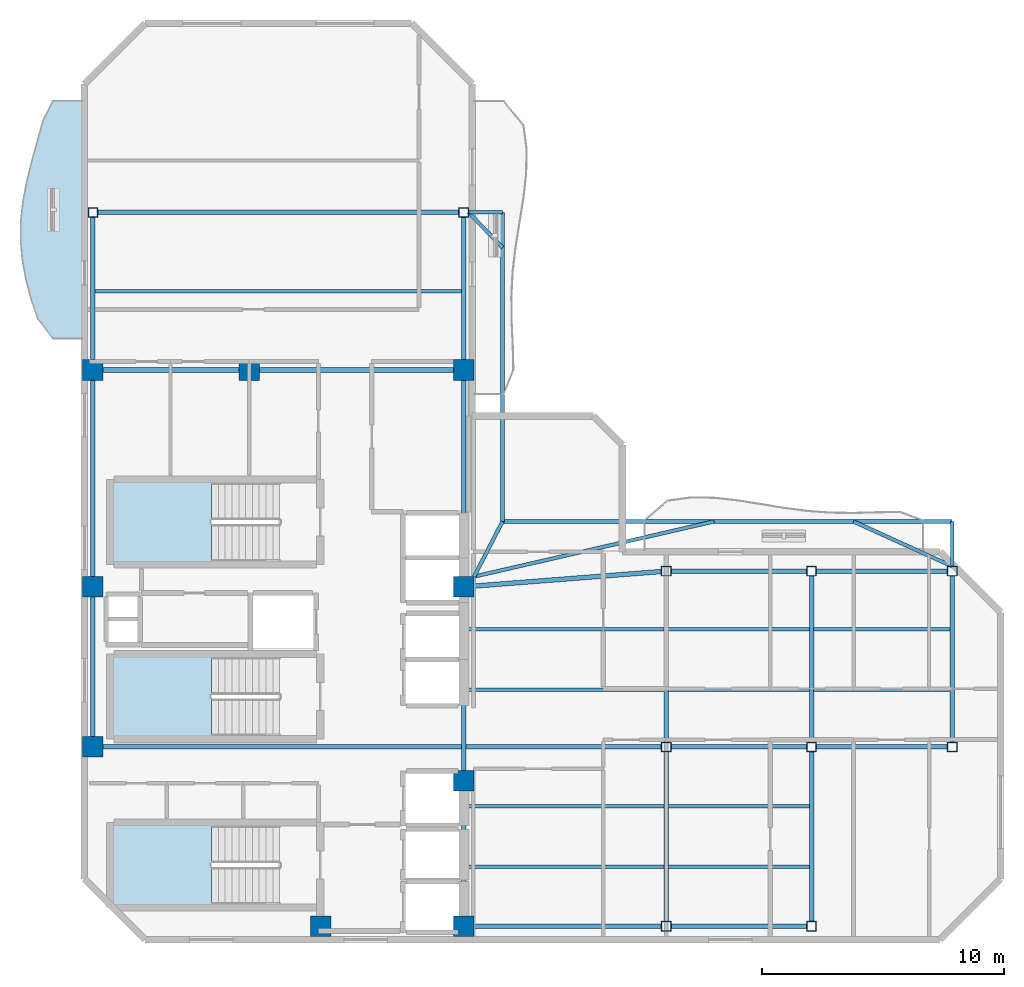
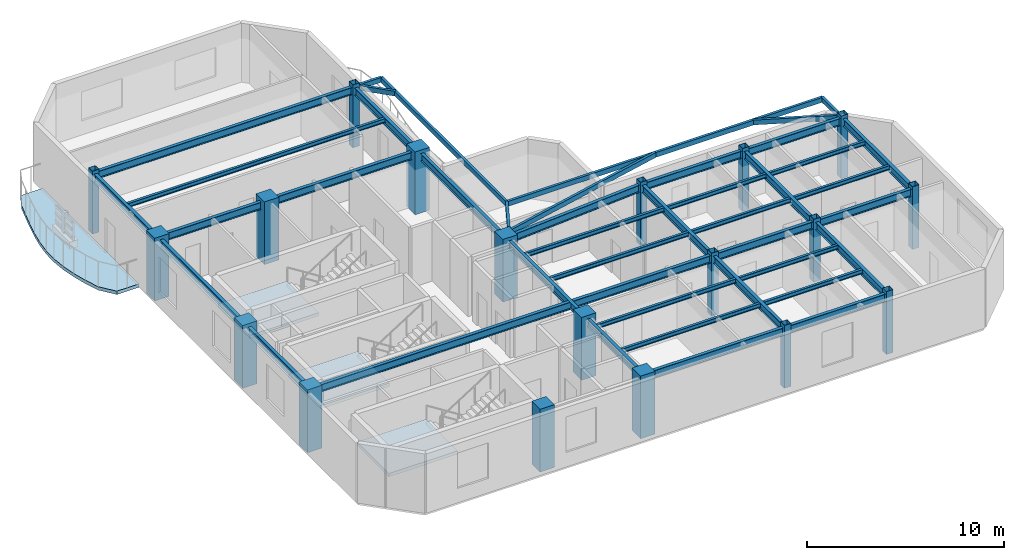
# One storey, part 1 of 7: 42 beams, 19 columns, 4 slabs, 3 elements without a shape of their own.
"""IFC4 building model written with IfcOpenShell, lengths in metres."""

from ifc_helpers import new_model, si_unit, direction, frame, origin, origin_2d, place, context, subcontext, project, spatial, polyline, rectangle, hollow_rectangle, i_section, outline, extrude, material, layer, layer_set, material_profile, profile_set, type_object, element, aggregate, save


model = new_model("IFC4")

# Units and contexts
model_context = context("Model", 3, precision=1e-05, world=origin(), true_north=direction((0.0, 1.0)))
body_context = subcontext(model_context, "Body", "Model", "MODEL_VIEW")
ifc_project = project(units=[si_unit("LENGTHUNIT", "METRE"), si_unit("AREAUNIT", "SQUARE_METRE"), si_unit("VOLUMEUNIT", "CUBIC_METRE"), si_unit("PLANEANGLEUNIT", "RADIAN"), si_unit("MASSUNIT", "GRAM", prefix="KILO")], contexts=[model_context])

# Site, building, storey
site_placement = place(None, origin())
site = spatial("IfcSite", under=ifc_project, at=site_placement, CompositionType="ELEMENT")
building_placement = place(site_placement, origin())
building = spatial("IfcBuilding", under=site, at=building_placement, Name="Mawjaban Terraces University", CompositionType="ELEMENT")
storey_placement = place(building_placement, frame((0.0, 0.0, 283.300048828125)))
storey = spatial("IfcBuildingStorey", under=building, at=storey_placement, Name="L69", CompositionType="ELEMENT", Elevation=283.300048828125)

# Columns
ifc_material_1 = material(Name="Concrete C50/60", Category="concrete")
ifc_material_profile_1 = material_profile(ifc_material_1, rectangle(XDim=0.85009765625, YDim=0.85009765625, at=origin_2d()), Name="RC850X850")
ifc_profile_set_1 = profile_set([ifc_material_profile_1], Name="Concrete C50/60")
column_type_1 = type_object("IfcColumnType", Name="Col_RC850X850", PredefinedType="COLUMN", material=ifc_profile_set_1)
for number, where, z_axis, x_axis, name in (
    (1, (31.75, 0.550048828125, 0.0), (0.0, 0.0, 1.0), (1.0, 0.0, 0.0), "L69 Column CC2"),
    (2, (37.64990234375, 0.550048828125, 0.0), (0.0, 0.0, 1.0), (1.0, 0.0, 0.0), "L69 Column CC3"),
    (3, (22.35009765625, 7.949951171875, 0.0), (0.0, 0.0, 1.0), (1.0, 0.0, 0.0), "L69 Column CC4"),
    (4, (37.64990234375, 6.550048828125, 0.0), (0.0, 0.0, 1.0), (1.0, 0.0, 0.0), "L69 Column CC5"),
    (5, (22.35009765625, 14.550048828125, 0.0), (0.0, 0.0, 1.0), (1.0, 0.0, 0.0), "L69 Column CC6"),
    (6, (37.64990234375, 14.550048828125, 0.0), (0.0, 0.0, 1.0), (1.0, 0.0, 0.0), "L69 Column CC7"),
    (7, (22.35009765625, 23.5, 0.0), (0.0, 0.0, 1.0), (1.0, 0.0, 0.0), "L69 Column CC8"),
    (8, (28.800048828125, 23.5, 0.0), (0.0, 0.0, 1.0), (1.0, 0.0, 0.0), "L69 Column CC9"),
    (9, (37.64990234375, 23.5, 0.0), (0.0, 0.0, 1.0), (1.0, 0.0, 0.0), "L69 Column CC10"),
):
    element("IfcColumn", number, at=place(storey_placement, frame(where, z_axis=z_axis, x_axis=x_axis)), inside=storey, type_object=column_type_1, Name=name, PredefinedType="COLUMN", context=body_context, shape_type="SweptSolid", body=[
        extrude(rectangle(XDim=0.85009765625, YDim=0.85009765625, at=origin_2d()), origin(), (0.0, 0.0, 1.0), 3.89990234375),
    ])
ifc_material_2 = material(Name="Steel EN 10210-1 S355J2H", Category="steel")
ifc_material_profile_2 = material_profile(ifc_material_2, hollow_rectangle(XDim=0.39990234375, YDim=0.39990234375, WallThickness=0.02001953125, at=origin_2d()), Name="SHS400X400X20")
ifc_profile_set_2 = profile_set([ifc_material_profile_2], Name="Steel EN 10210-1 S355J2H")
column_type_2 = type_object("IfcColumnType", Name="Col_SHS400X400X20", PredefinedType="COLUMN", material=ifc_profile_set_2)
for number, where, z_axis, x_axis, name in (
    (10, (46.0, 0.550048828125, 0.0), (0.0, 0.0, 1.0), (1.0, 0.0, 0.0), "L69 Column TE-460-005"),
    (11, (46.0, 7.949951171875, 0.0), (0.0, 0.0, 1.0), (1.0, 0.0, 0.0), "L69 Column TE-460-080"),
    (12, (46.0, 15.199951171875, 0.0), (0.0, 0.0, 1.0), (1.0, 0.0, 0.0), "L69 Column TE-460-152"),
    (13, (52.0, 0.550048828125, 0.0), (0.0, 0.0, 1.0), (1.0, 0.0, 0.0), "L69 Column TE-520-005"),
    (14, (52.0, 7.949951171875, 0.0), (0.0, 0.0, 1.0), (1.0, 0.0, 0.0), "L69 Column TE-520-080"),
    (15, (52.0, 15.199951171875, 0.0), (0.0, 0.0, 1.0), (1.0, 0.0, 0.0), "L69 Column TE-520-152"),
    (16, (57.800048828125, 7.949951171875, 0.0), (0.0, 0.0, 1.0), (1.0, 0.0, 0.0), "L69 Column TE-578-080"),
    (17, (57.800048828125, 15.199951171875, 0.0), (0.0, 0.0, 1.0), (1.0, 0.0, 0.0), "L69 Column TE-578-152"),
    (18, (22.35009765625, 30.0, 0.0), (0.0, 0.0, 1.0), (1.0, 0.0, 0.0), "L69 Column TN-223-300"),
    (19, (37.64990234375, 30.0, 0.0), (0.0, 0.0, 1.0), (1.0, 0.0, 0.0), "L69 Column TN-376-300"),
):
    element("IfcColumn", number, at=place(storey_placement, frame(where, z_axis=z_axis, x_axis=x_axis)), inside=storey, type_object=column_type_2, Name=name, PredefinedType="COLUMN", context=body_context, shape_type="SweptSolid", body=[
        extrude(hollow_rectangle(XDim=0.39990234375, YDim=0.39990234375, WallThickness=0.02001953125, at=origin_2d()), origin(), (0.0, 0.0, 1.0), 3.89990234375),
    ])

# Beams
ifc_material_profile_3 = material_profile(ifc_material_2, hollow_rectangle(XDim=0.14990234375, YDim=0.300048828125, WallThickness=0.012451171875, at=origin_2d()), Name="RHS300X150X12.5")
ifc_profile_set_3 = profile_set([ifc_material_profile_3], Name="Steel EN 10210-1 S355J2H")
beam_type_1 = type_object("IfcBeamType", Name="BalconyCantileverSpandrel_RHS", PredefinedType="SPANDREL", material=ifc_profile_set_3)
beam_1_placement = place(storey_placement, frame((38.074951171875, 14.97509765625, 3.5400390625), z_axis=(0.458922210771, 0.88847645127, 0.0), x_axis=(-0.88847645127, 0.458922210771, 0.0)))
element("IfcBeam", 20, at=beam_1_placement, inside=storey, type_object=beam_type_1, Name="L69 Corner Outrigger BAL-L70-N", PredefinedType="SPANDREL", context=body_context, shape_type="SweptSolid", body=[
    extrude(hollow_rectangle(XDim=0.14990234375, YDim=0.300048828125, WallThickness=0.012451171875, at=origin_2d()), origin(), (0.0, 0.0, 1.0), 2.560546875),
])
beam_2_placement = place(storey_placement, frame((57.800048828125, 15.39990234375, 3.5400390625), z_axis=(0.0, 1.0, 0.0), x_axis=(-1.0, 0.0, 0.0)))
element("IfcBeam", 21, at=beam_2_placement, inside=storey, type_object=beam_type_1, Name="L69 Exterior Outrigger BAL-L70-N.2", PredefinedType="SPANDREL", context=body_context, shape_type="SweptSolid", body=[
    extrude(hollow_rectangle(XDim=0.14990234375, YDim=0.300048828125, WallThickness=0.012451171875, at=origin_2d()), origin(), (0.0, 0.0, 1.0), 1.85009765625),
])
beam_3_placement = place(storey_placement, frame((39.25, 17.25, 3.5400390625), z_axis=(1.0, 0.0, 0.0), x_axis=(0.0, 1.0, 0.0)))
element("IfcBeam", 22, at=beam_3_placement, inside=storey, type_object=beam_type_1, Name="L69 Exterior Edge Spandrel BAL-L70-N", PredefinedType="SPANDREL", context=body_context, shape_type="SweptSolid", body=[
    extrude(hollow_rectangle(XDim=0.14990234375, YDim=0.300048828125, WallThickness=0.012451171875, at=origin_2d()), origin(), (0.0, 0.0, 1.0), 18.550048828125),
])
beam_4_placement = place(storey_placement, frame((38.074951171875, 14.97509765625, 3.5400390625), z_axis=(0.974600999447, 0.223948413426, 0.0), x_axis=(-0.223948413426, 0.974600999447, 0.0)))
element("IfcBeam", 23, at=beam_4_placement, inside=storey, type_object=beam_type_1, Name="L69 Exterior Diagonal Strut BAL-L70-N.1", PredefinedType="SPANDREL", context=body_context, shape_type="SweptSolid", body=[
    extrude(hollow_rectangle(XDim=0.14990234375, YDim=0.300048828125, WallThickness=0.012451171875, at=origin_2d()), origin(), (0.0, 0.0, 1.0), 10.158203125),
])
beam_5_placement = place(storey_placement, frame((57.800048828125, 15.39990234375, 3.5400390625), z_axis=(-0.910547611438, 0.413404217811, 0.0), x_axis=(-0.413404217811, -0.910547611438, 0.0)))
element("IfcBeam", 24, at=beam_5_placement, inside=storey, type_object=beam_type_1, Name="L69 Exterior Diagonal Strut BAL-L70-N.2", PredefinedType="SPANDREL", context=body_context, shape_type="SweptSolid", body=[
    extrude(hollow_rectangle(XDim=0.14990234375, YDim=0.300048828125, WallThickness=0.012451171875, at=origin_2d()), origin(), (0.0, 0.0, 1.0), 4.475341796875),
])
beam_6_placement = place(storey_placement, frame((37.85009765625, 30.0, 3.5400390625), z_axis=(1.0, 0.0, 0.0), x_axis=(0.0, 1.0, 0.0)))
element("IfcBeam", 25, at=beam_6_placement, inside=storey, type_object=beam_type_1, Name="L69 Exterior Outrigger BAL-L70-E.2", PredefinedType="SPANDREL", context=body_context, shape_type="SweptSolid", body=[
    extrude(hollow_rectangle(XDim=0.14990234375, YDim=0.300048828125, WallThickness=0.012451171875, at=origin_2d()), origin(), (0.0, 0.0, 1.0), 1.39990234375),
])
beam_7_placement = place(storey_placement, frame((39.25, 17.25, 3.5400390625), z_axis=(0.0, 1.0, 0.0), x_axis=(-1.0, 0.0, 0.0)))
element("IfcBeam", 26, at=beam_7_placement, inside=storey, type_object=beam_type_1, Name="L69 Exterior Edge Spandrel BAL-L70-E", PredefinedType="SPANDREL", context=body_context, shape_type="SweptSolid", body=[
    extrude(hollow_rectangle(XDim=0.14990234375, YDim=0.300048828125, WallThickness=0.012451171875, at=origin_2d()), origin(), (0.0, 0.0, 1.0), 12.75),
])
beam_8_placement = place(storey_placement, frame((37.85009765625, 30.0, 3.5400390625), z_axis=(0.694581542946, -0.719413983878, 0.0), x_axis=(0.719413983878, 0.694581542946, 0.0)))
element("IfcBeam", 27, at=beam_8_placement, inside=storey, type_object=beam_type_1, Name="L69 Exterior Diagonal Strut BAL-L70-E.1", PredefinedType="SPANDREL", context=body_context, shape_type="SweptSolid", body=[
    extrude(hollow_rectangle(XDim=0.14990234375, YDim=0.300048828125, WallThickness=0.012451171875, at=origin_2d()), origin(), (0.0, 0.0, 1.0), 2.015380859375),
])
ifc_material_3 = material(Name="Steel ASTM A572 Grade 50", Category="steel")
ifc_material_profile_4 = material_profile(ifc_material_3, i_section(OverallWidth=0.19189453125, OverallDepth=0.462890625, WebThickness=0.010498046875, FlangeThickness=0.017578125, at=origin_2d()), Name="W460X89")
ifc_profile_set_4 = profile_set([ifc_material_profile_4], Name="Steel ASTM A572 Grade 50")
beam_type_2 = type_object("IfcBeamType", Name="Beam_B_W460X89", PredefinedType="BEAM", material=ifc_profile_set_4)
beam_9_placement = place(storey_placement, frame((38.074951171875, 0.550048828125, 3.458984375), z_axis=(1.0, 0.0, 0.0), x_axis=(0.0, 1.0, 0.0)))
element("IfcBeam", 28, at=beam_9_placement, inside=storey, type_object=beam_type_2, Name="L69 Beam BM-L69-EW-01", PredefinedType="BEAM", context=body_context, shape_type="SweptSolid", body=[
    extrude(i_section(OverallWidth=0.19189453125, OverallDepth=0.462890625, WebThickness=0.010498046875, FlangeThickness=0.017578125, at=origin_2d()), origin(), (0.0, 0.0, 1.0), 7.72509765625),
])
beam_10_placement = place(storey_placement, frame((46.199951171875, 0.550048828125, 3.458984375), z_axis=(1.0, 0.0, 0.0), x_axis=(0.0, 1.0, 0.0)))
element("IfcBeam", 29, at=beam_10_placement, inside=storey, type_object=beam_type_2, Name="L69 Beam BM-L69-EW-02", PredefinedType="BEAM", context=body_context, shape_type="SweptSolid", body=[
    extrude(i_section(OverallWidth=0.19189453125, OverallDepth=0.462890625, WebThickness=0.010498046875, FlangeThickness=0.017578125, at=origin_2d()), origin(), (0.0, 0.0, 1.0), 5.60009765625),
])
beam_11_placement = place(storey_placement, frame((22.77490234375, 7.949951171875, 3.458984375), z_axis=(1.0, 0.0, 0.0), x_axis=(0.0, 1.0, 0.0)))
element("IfcBeam", 30, at=beam_11_placement, inside=storey, type_object=beam_type_2, Name="L69 Beam BM-L69-EW-03", PredefinedType="BEAM", context=body_context, shape_type="SweptSolid", body=[
    extrude(i_section(OverallWidth=0.19189453125, OverallDepth=0.462890625, WebThickness=0.010498046875, FlangeThickness=0.017578125, at=origin_2d()), origin(), (0.0, 0.0, 1.0), 23.025146484375),
])
beam_12_placement = place(storey_placement, frame((46.199951171875, 7.949951171875, 3.458984375), z_axis=(1.0, 0.0, 0.0), x_axis=(0.0, 1.0, 0.0)))
element("IfcBeam", 31, at=beam_12_placement, inside=storey, type_object=beam_type_2, Name="L69 Beam BM-L69-EW-04", PredefinedType="BEAM", context=body_context, shape_type="SweptSolid", body=[
    extrude(i_section(OverallWidth=0.19189453125, OverallDepth=0.462890625, WebThickness=0.010498046875, FlangeThickness=0.017578125, at=origin_2d()), origin(), (0.0, 0.0, 1.0), 5.60009765625),
])
beam_13_placement = place(storey_placement, frame((52.199951171875, 7.949951171875, 3.458984375), z_axis=(1.0, 0.0, 0.0), x_axis=(0.0, 1.0, 0.0)))
element("IfcBeam", 32, at=beam_13_placement, inside=storey, type_object=beam_type_2, Name="L69 Beam BM-L69-EW-05", PredefinedType="BEAM", context=body_context, shape_type="SweptSolid", body=[
    extrude(i_section(OverallWidth=0.19189453125, OverallDepth=0.462890625, WebThickness=0.010498046875, FlangeThickness=0.017578125, at=origin_2d()), origin(), (0.0, 0.0, 1.0), 5.400146484375),
])
beam_14_placement = place(storey_placement, frame((46.199951171875, 15.199951171875, 3.458984375), z_axis=(1.0, 0.0, 0.0), x_axis=(0.0, 1.0, 0.0)))
element("IfcBeam", 33, at=beam_14_placement, inside=storey, type_object=beam_type_2, Name="L69 Beam BM-L69-EW-06", PredefinedType="BEAM", context=body_context, shape_type="SweptSolid", body=[
    extrude(i_section(OverallWidth=0.19189453125, OverallDepth=0.462890625, WebThickness=0.010498046875, FlangeThickness=0.017578125, at=origin_2d()), origin(), (0.0, 0.0, 1.0), 5.60009765625),
])
beam_15_placement = place(storey_placement, frame((52.199951171875, 15.199951171875, 3.458984375), z_axis=(1.0, 0.0, 0.0), x_axis=(0.0, 1.0, 0.0)))
element("IfcBeam", 34, at=beam_15_placement, inside=storey, type_object=beam_type_2, Name="L69 Beam BM-L69-EW-07", PredefinedType="BEAM", context=body_context, shape_type="SweptSolid", body=[
    extrude(i_section(OverallWidth=0.19189453125, OverallDepth=0.462890625, WebThickness=0.010498046875, FlangeThickness=0.017578125, at=origin_2d()), origin(), (0.0, 0.0, 1.0), 5.400146484375),
])
beam_16_placement = place(storey_placement, frame((22.77490234375, 23.5, 3.458984375), z_axis=(1.0, 0.0, 0.0), x_axis=(0.0, 1.0, 0.0)))
element("IfcBeam", 35, at=beam_16_placement, inside=storey, type_object=beam_type_2, Name="L69 Beam BM-L69-EW-08", PredefinedType="BEAM", context=body_context, shape_type="SweptSolid", body=[
    extrude(i_section(OverallWidth=0.19189453125, OverallDepth=0.462890625, WebThickness=0.010498046875, FlangeThickness=0.017578125, at=origin_2d()), origin(), (0.0, 0.0, 1.0), 5.60009765625),
])
beam_17_placement = place(storey_placement, frame((29.22509765625, 23.5, 3.458984375), z_axis=(1.0, 0.0, 0.0), x_axis=(0.0, 1.0, 0.0)))
element("IfcBeam", 36, at=beam_17_placement, inside=storey, type_object=beam_type_2, Name="L69 Beam BM-L69-EW-09", PredefinedType="BEAM", context=body_context, shape_type="SweptSolid", body=[
    extrude(i_section(OverallWidth=0.19189453125, OverallDepth=0.462890625, WebThickness=0.010498046875, FlangeThickness=0.017578125, at=origin_2d()), origin(), (0.0, 0.0, 1.0), 8.0),
])
beam_18_placement = place(storey_placement, frame((22.550048828125, 30.0, 3.458984375), z_axis=(1.0, 0.0, 0.0), x_axis=(0.0, 1.0, 0.0)))
element("IfcBeam", 37, at=beam_18_placement, inside=storey, type_object=beam_type_2, Name="L69 Beam BM-L69-EW-10", PredefinedType="BEAM", context=body_context, shape_type="SweptSolid", body=[
    extrude(i_section(OverallWidth=0.19189453125, OverallDepth=0.462890625, WebThickness=0.010498046875, FlangeThickness=0.017578125, at=origin_2d()), origin(), (0.0, 0.0, 1.0), 14.89990234375),
])
beam_19_placement = place(storey_placement, frame((22.35009765625, 8.375, 3.458984375), z_axis=(0.0, 1.0, 0.0), x_axis=(-1.0, 0.0, 0.0)))
element("IfcBeam", 38, at=beam_19_placement, inside=storey, type_object=beam_type_2, Name="L69 Beam BM-L69-NS-01", PredefinedType="BEAM", context=body_context, shape_type="SweptSolid", body=[
    extrude(i_section(OverallWidth=0.19189453125, OverallDepth=0.462890625, WebThickness=0.010498046875, FlangeThickness=0.017578125, at=origin_2d()), origin(), (0.0, 0.0, 1.0), 5.75),
])
beam_20_placement = place(storey_placement, frame((22.35009765625, 14.97509765625, 3.458984375), z_axis=(0.0, 1.0, 0.0), x_axis=(-1.0, 0.0, 0.0)))
element("IfcBeam", 39, at=beam_20_placement, inside=storey, type_object=beam_type_2, Name="L69 Beam BM-L69-NS-02", PredefinedType="BEAM", context=body_context, shape_type="SweptSolid", body=[
    extrude(i_section(OverallWidth=0.19189453125, OverallDepth=0.462890625, WebThickness=0.010498046875, FlangeThickness=0.017578125, at=origin_2d()), origin(), (0.0, 0.0, 1.0), 8.099853515625),
])
beam_21_placement = place(storey_placement, frame((22.35009765625, 23.925048828125, 3.458984375), z_axis=(0.0, 1.0, 0.0), x_axis=(-1.0, 0.0, 0.0)))
element("IfcBeam", 40, at=beam_21_placement, inside=storey, type_object=beam_type_2, Name="L69 Beam BM-L69-NS-03", PredefinedType="BEAM", context=body_context, shape_type="SweptSolid", body=[
    extrude(i_section(OverallWidth=0.19189453125, OverallDepth=0.462890625, WebThickness=0.010498046875, FlangeThickness=0.017578125, at=origin_2d()), origin(), (0.0, 0.0, 1.0), 5.875),
])
beam_22_placement = place(storey_placement, frame((37.64990234375, 0.97509765625, 3.458984375), z_axis=(0.0, 1.0, 0.0), x_axis=(-1.0, 0.0, 0.0)))
element("IfcBeam", 41, at=beam_22_placement, inside=storey, type_object=beam_type_2, Name="L69 Beam BM-L69-NS-04", PredefinedType="BEAM", context=body_context, shape_type="SweptSolid", body=[
    extrude(i_section(OverallWidth=0.19189453125, OverallDepth=0.462890625, WebThickness=0.010498046875, FlangeThickness=0.017578125, at=origin_2d()), origin(), (0.0, 0.0, 1.0), 5.14990234375),
])
beam_23_placement = place(storey_placement, frame((37.64990234375, 6.97509765625, 3.458984375), z_axis=(0.0, 1.0, 0.0), x_axis=(-1.0, 0.0, 0.0)))
element("IfcBeam", 42, at=beam_23_placement, inside=storey, type_object=beam_type_2, Name="L69 Beam BM-L69-NS-05", PredefinedType="BEAM", context=body_context, shape_type="SweptSolid", body=[
    extrude(i_section(OverallWidth=0.19189453125, OverallDepth=0.462890625, WebThickness=0.010498046875, FlangeThickness=0.017578125, at=origin_2d()), origin(), (0.0, 0.0, 1.0), 7.14990234375),
])
beam_24_placement = place(storey_placement, frame((37.64990234375, 14.97509765625, 3.458984375), z_axis=(0.0, 1.0, 0.0), x_axis=(-1.0, 0.0, 0.0)))
element("IfcBeam", 43, at=beam_24_placement, inside=storey, type_object=beam_type_2, Name="L69 Beam BM-L69-NS-06", PredefinedType="BEAM", context=body_context, shape_type="SweptSolid", body=[
    extrude(i_section(OverallWidth=0.19189453125, OverallDepth=0.462890625, WebThickness=0.010498046875, FlangeThickness=0.017578125, at=origin_2d()), origin(), (0.0, 0.0, 1.0), 8.099853515625),
])
beam_25_placement = place(storey_placement, frame((37.64990234375, 23.925048828125, 3.458984375), z_axis=(0.0, 1.0, 0.0), x_axis=(-1.0, 0.0, 0.0)))
element("IfcBeam", 44, at=beam_25_placement, inside=storey, type_object=beam_type_2, Name="L69 Beam BM-L69-NS-07", PredefinedType="BEAM", context=body_context, shape_type="SweptSolid", body=[
    extrude(i_section(OverallWidth=0.19189453125, OverallDepth=0.462890625, WebThickness=0.010498046875, FlangeThickness=0.017578125, at=origin_2d()), origin(), (0.0, 0.0, 1.0), 5.875),
])
beam_26_placement = place(storey_placement, frame((46.0, 0.75, 3.458984375), z_axis=(0.0, 1.0, 0.0), x_axis=(-1.0, 0.0, 0.0)))
element("IfcBeam", 45, at=beam_26_placement, inside=storey, type_object=beam_type_2, Name="L69 Beam BM-L69-NS-08", PredefinedType="BEAM", context=body_context, shape_type="SweptSolid", body=[
    extrude(i_section(OverallWidth=0.19189453125, OverallDepth=0.462890625, WebThickness=0.010498046875, FlangeThickness=0.017578125, at=origin_2d()), origin(), (0.0, 0.0, 1.0), 7.0),
])
beam_27_placement = place(storey_placement, frame((46.0, 8.14990234375, 3.458984375), z_axis=(0.0, 1.0, 0.0), x_axis=(-1.0, 0.0, 0.0)))
element("IfcBeam", 46, at=beam_27_placement, inside=storey, type_object=beam_type_2, Name="L69 Beam BM-L69-NS-09", PredefinedType="BEAM", context=body_context, shape_type="SweptSolid", body=[
    extrude(i_section(OverallWidth=0.19189453125, OverallDepth=0.462890625, WebThickness=0.010498046875, FlangeThickness=0.017578125, at=origin_2d()), origin(), (0.0, 0.0, 1.0), 6.85009765625),
])
beam_28_placement = place(storey_placement, frame((52.0, 0.75, 3.458984375), z_axis=(0.0, 1.0, 0.0), x_axis=(-1.0, 0.0, 0.0)))
element("IfcBeam", 47, at=beam_28_placement, inside=storey, type_object=beam_type_2, Name="L69 Beam BM-L69-NS-10", PredefinedType="BEAM", context=body_context, shape_type="SweptSolid", body=[
    extrude(i_section(OverallWidth=0.19189453125, OverallDepth=0.462890625, WebThickness=0.010498046875, FlangeThickness=0.017578125, at=origin_2d()), origin(), (0.0, 0.0, 1.0), 7.0),
])
for number, where, z_axis, x_axis, name in (
    (48, (52.0, 8.14990234375, 3.458984375), (0.0, 1.0, 0.0), (-1.0, 0.0, 0.0), "L69 Beam BM-L69-NS-11"),
    (49, (57.800048828125, 8.14990234375, 3.458984375), (0.0, 1.0, 0.0), (-1.0, 0.0, 0.0), "L69 Beam BM-L69-NS-12"),
):
    element("IfcBeam", number, at=place(storey_placement, frame(where, z_axis=z_axis, x_axis=x_axis)), inside=storey, type_object=beam_type_2, Name=name, PredefinedType="BEAM", context=body_context, shape_type="SweptSolid", body=[
        extrude(i_section(OverallWidth=0.19189453125, OverallDepth=0.462890625, WebThickness=0.010498046875, FlangeThickness=0.017578125, at=origin_2d()), origin(), (0.0, 0.0, 1.0), 6.85009765625),
    ])
beam_29_placement = place(storey_placement, frame((38.073974609375, 14.5830078125, 3.458984375), z_axis=(0.996988151141, 0.077554023005, 0.0), x_axis=(-0.077554023005, 0.996988151141, 0.0)))
element("IfcBeam", 50, at=beam_29_placement, inside=storey, type_object=beam_type_2, Name="L69 Beam BM-L69-CTIE", PredefinedType="BEAM", context=body_context, shape_type="SweptSolid", body=[
    extrude(i_section(OverallWidth=0.19189453125, OverallDepth=0.462890625, WebThickness=0.010498046875, FlangeThickness=0.017578125, at=origin_2d()), origin(), (0.0, 0.0, 1.0), 7.75048828125),
])
ifc_material_profile_5 = material_profile(ifc_material_3, i_section(OverallWidth=0.14794921875, OverallDepth=0.26611328125, WebThickness=0.007568359375, FlangeThickness=0.012939453125, at=origin_2d()), Name="W250X45")
ifc_profile_set_5 = profile_set([ifc_material_profile_5], Name="Steel ASTM A572 Grade 50")
beam_type_3 = type_object("IfcBeamType", Name="Beam_J_W250X45", PredefinedType="JOIST", material=ifc_profile_set_5)
beam_30_placement = place(storey_placement, frame((37.72998046875, 3.0, 3.556884765625), z_axis=(1.0, 0.0, 0.0), x_axis=(0.0, 1.0, 0.0)))
element("IfcBeam", 51, at=beam_30_placement, inside=storey, type_object=beam_type_3, Name="L69 Composite Joist JST-L69-01", PredefinedType="JOIST", context=body_context, shape_type="SweptSolid", body=[
    extrude(i_section(OverallWidth=0.14794921875, OverallDepth=0.26611328125, WebThickness=0.007568359375, FlangeThickness=0.012939453125, at=origin_2d()), origin(), (0.0, 0.0, 1.0), 8.18994140625),
])
beam_31_placement = place(storey_placement, frame((46.080078125, 3.0, 3.556884765625), z_axis=(1.0, 0.0, 0.0), x_axis=(0.0, 1.0, 0.0)))
element("IfcBeam", 52, at=beam_31_placement, inside=storey, type_object=beam_type_3, Name="L69 Composite Joist JST-L69-02", PredefinedType="JOIST", context=body_context, shape_type="SweptSolid", body=[
    extrude(i_section(OverallWidth=0.14794921875, OverallDepth=0.26611328125, WebThickness=0.007568359375, FlangeThickness=0.012939453125, at=origin_2d()), origin(), (0.0, 0.0, 1.0), 5.83984375),
])
beam_32_placement = place(storey_placement, frame((37.72998046875, 5.5, 3.556884765625), z_axis=(1.0, 0.0, 0.0), x_axis=(0.0, 1.0, 0.0)))
element("IfcBeam", 53, at=beam_32_placement, inside=storey, type_object=beam_type_3, Name="L69 Composite Joist JST-L69-03", PredefinedType="JOIST", context=body_context, shape_type="SweptSolid", body=[
    extrude(i_section(OverallWidth=0.14794921875, OverallDepth=0.26611328125, WebThickness=0.007568359375, FlangeThickness=0.012939453125, at=origin_2d()), origin(), (0.0, 0.0, 1.0), 8.18994140625),
])
beam_33_placement = place(storey_placement, frame((46.080078125, 5.5, 3.556884765625), z_axis=(1.0, 0.0, 0.0), x_axis=(0.0, 1.0, 0.0)))
element("IfcBeam", 54, at=beam_33_placement, inside=storey, type_object=beam_type_3, Name="L69 Composite Joist JST-L69-04", PredefinedType="JOIST", context=body_context, shape_type="SweptSolid", body=[
    extrude(i_section(OverallWidth=0.14794921875, OverallDepth=0.26611328125, WebThickness=0.007568359375, FlangeThickness=0.012939453125, at=origin_2d()), origin(), (0.0, 0.0, 1.0), 5.83984375),
])
beam_34_placement = place(storey_placement, frame((37.72998046875, 10.300048828125, 3.556884765625), z_axis=(1.0, 0.0, 0.0), x_axis=(0.0, 1.0, 0.0)))
element("IfcBeam", 55, at=beam_34_placement, inside=storey, type_object=beam_type_3, Name="L69 Composite Joist JST-L69-05", PredefinedType="JOIST", context=body_context, shape_type="SweptSolid", body=[
    extrude(i_section(OverallWidth=0.14794921875, OverallDepth=0.26611328125, WebThickness=0.007568359375, FlangeThickness=0.012939453125, at=origin_2d()), origin(), (0.0, 0.0, 1.0), 8.18994140625),
])
beam_35_placement = place(storey_placement, frame((46.080078125, 10.300048828125, 3.556884765625), z_axis=(1.0, 0.0, 0.0), x_axis=(0.0, 1.0, 0.0)))
element("IfcBeam", 56, at=beam_35_placement, inside=storey, type_object=beam_type_3, Name="L69 Composite Joist JST-L69-06", PredefinedType="JOIST", context=body_context, shape_type="SweptSolid", body=[
    extrude(i_section(OverallWidth=0.14794921875, OverallDepth=0.26611328125, WebThickness=0.007568359375, FlangeThickness=0.012939453125, at=origin_2d()), origin(), (0.0, 0.0, 1.0), 5.83984375),
])
beam_36_placement = place(storey_placement, frame((52.080078125, 10.300048828125, 3.556884765625), z_axis=(1.0, 0.0, 0.0), x_axis=(0.0, 1.0, 0.0)))
element("IfcBeam", 57, at=beam_36_placement, inside=storey, type_object=beam_type_3, Name="L69 Composite Joist JST-L69-07", PredefinedType="JOIST", context=body_context, shape_type="SweptSolid", body=[
    extrude(i_section(OverallWidth=0.14794921875, OverallDepth=0.26611328125, WebThickness=0.007568359375, FlangeThickness=0.012939453125, at=origin_2d()), origin(), (0.0, 0.0, 1.0), 5.639892578125),
])
beam_37_placement = place(storey_placement, frame((37.72998046875, 12.800048828125, 3.556884765625), z_axis=(1.0, 0.0, 0.0), x_axis=(0.0, 1.0, 0.0)))
element("IfcBeam", 58, at=beam_37_placement, inside=storey, type_object=beam_type_3, Name="L69 Composite Joist JST-L69-08", PredefinedType="JOIST", context=body_context, shape_type="SweptSolid", body=[
    extrude(i_section(OverallWidth=0.14794921875, OverallDepth=0.26611328125, WebThickness=0.007568359375, FlangeThickness=0.012939453125, at=origin_2d()), origin(), (0.0, 0.0, 1.0), 8.18994140625),
])
beam_38_placement = place(storey_placement, frame((46.080078125, 12.800048828125, 3.556884765625), z_axis=(1.0, 0.0, 0.0), x_axis=(0.0, 1.0, 0.0)))
element("IfcBeam", 59, at=beam_38_placement, inside=storey, type_object=beam_type_3, Name="L69 Composite Joist JST-L69-09", PredefinedType="JOIST", context=body_context, shape_type="SweptSolid", body=[
    extrude(i_section(OverallWidth=0.14794921875, OverallDepth=0.26611328125, WebThickness=0.007568359375, FlangeThickness=0.012939453125, at=origin_2d()), origin(), (0.0, 0.0, 1.0), 5.83984375),
])
beam_39_placement = place(storey_placement, frame((52.080078125, 12.800048828125, 3.556884765625), z_axis=(1.0, 0.0, 0.0), x_axis=(0.0, 1.0, 0.0)))
element("IfcBeam", 60, at=beam_39_placement, inside=storey, type_object=beam_type_3, Name="L69 Composite Joist JST-L69-10", PredefinedType="JOIST", context=body_context, shape_type="SweptSolid", body=[
    extrude(i_section(OverallWidth=0.14794921875, OverallDepth=0.26611328125, WebThickness=0.007568359375, FlangeThickness=0.012939453125, at=origin_2d()), origin(), (0.0, 0.0, 1.0), 5.639892578125),
])
beam_40_placement = place(storey_placement, frame((22.429931640625, 26.75, 3.556884765625), z_axis=(1.0, 0.0, 0.0), x_axis=(0.0, 1.0, 0.0)))
element("IfcBeam", 61, at=beam_40_placement, inside=storey, type_object=beam_type_3, Name="L69 Composite Joist JST-L69-11", PredefinedType="JOIST", context=body_context, shape_type="SweptSolid", body=[
    extrude(i_section(OverallWidth=0.14794921875, OverallDepth=0.26611328125, WebThickness=0.007568359375, FlangeThickness=0.012939453125, at=origin_2d()), origin(), (0.0, 0.0, 1.0), 15.14013671875),
])

# Slab
ifc_material_4 = material(Name="Concrete C40/50", Category="concrete")
ifc_layer_1 = layer(ifc_material_4, 0.2099609375)
ifc_layer_set_1 = layer_set([ifc_layer_1], Name="Concrete C40/50")
slab_type_1 = type_object("IfcSlabType", Name="BalconySlab_210_Ext", PredefinedType="FLOOR", material=ifc_layer_set_1)
slab_1_placement = place(storey_placement, frame((0.0, 0.0, -0.2099609375)))
element("IfcSlab", 62, at=slab_1_placement, inside=storey, type_object=slab_type_1, Name="L69 Planted Balcony Slab west", PredefinedType="FLOOR", context=body_context, shape_type="SweptSolid", body=[
    extrude(outline(polyline([(22.010009765625, 24.800048828125), (22.010009765625, 34.60009765625), (20.699951171875, 34.60009765625), (20.29296875, 33.782958984375), (20.06396484375, 32.967041015625), (19.839111328125, 32.14990234375), (19.635009765625, 31.3330078125), (19.47607421875, 30.51708984375), (19.381103515625, 29.699951171875), (19.366943359375, 28.883056640625), (19.43603515625, 28.06689453125), (19.5849609375, 27.25), (19.800048828125, 26.43310546875), (20.074951171875, 25.616943359375), (20.699951171875, 24.800048828125), (22.010009765625, 24.800048828125)])), origin(), (0.0, 0.0, 1.0), 0.2099609375),
])

# Stair, slab
stair_type = type_object("IfcStairType", Name="Stair_Core1550_H39", PredefinedType="HALF_TURN_STAIR", material=ifc_material_4)
stair_1_placement = place(storey_placement, origin())
stair_1 = element("IfcStair", 63, at=stair_1_placement, inside=storey, type_object=stair_type, Name="L69 Core Exit Stair 1", PredefinedType="HALF_TURN_STAIR")
ifc_layer_2 = layer(ifc_material_4, 0.199951171875)
ifc_layer_set_2 = layer_set([ifc_layer_2], Name="Concrete C40/50")
slab_type_2 = type_object("IfcSlabType", Name="StairLandingSlab_200", PredefinedType="LANDING", material=ifc_layer_set_2)
slab_2_placement = place(storey_placement, frame((0.0, 0.0, 1.75)))
slab_2 = element("IfcSlab", 64, at=slab_2_placement, type_object=slab_type_2, Name="ST-1 landing 1", PredefinedType="LANDING", context=body_context, shape_type="SweptSolid", body=[
    extrude(outline(polyline([(27.25, 4.699951171875), (23.199951171875, 4.699951171875), (23.199951171875, 1.449951171875), (27.25, 1.449951171875), (27.25, 4.699951171875)])), origin(), (0.0, 0.0, 1.0), 0.199951171875),
])
aggregate(stair_1, [slab_2])

stair_2_placement = place(storey_placement, origin())
stair_2 = element("IfcStair", 65, at=stair_2_placement, inside=storey, type_object=stair_type, Name="L69 Core Exit Stair 2", PredefinedType="HALF_TURN_STAIR")
slab_3_placement = place(storey_placement, frame((0.0, 0.0, 1.75)))
slab_3 = element("IfcSlab", 66, at=slab_3_placement, type_object=slab_type_2, Name="ST-2 landing 1", PredefinedType="LANDING", context=body_context, shape_type="SweptSolid", body=[
    extrude(outline(polyline([(27.25, 18.85009765625), (23.199951171875, 18.85009765625), (23.199951171875, 15.60009765625), (27.25, 15.60009765625), (27.25, 18.85009765625)])), origin(), (0.0, 0.0, 1.0), 0.199951171875),
])
aggregate(stair_2, [slab_3])

stair_3_placement = place(storey_placement, origin())
stair_3 = element("IfcStair", 67, at=stair_3_placement, inside=storey, type_object=stair_type, Name="L69 Core Exit Stair 3", PredefinedType="HALF_TURN_STAIR")
slab_4_placement = place(storey_placement, frame((0.0, 0.0, 1.75)))
slab_4 = element("IfcSlab", 68, at=slab_4_placement, type_object=slab_type_2, Name="ST-3 landing 1", PredefinedType="LANDING", context=body_context, shape_type="SweptSolid", body=[
    extrude(outline(polyline([(27.25, 11.64990234375), (23.199951171875, 11.64990234375), (23.199951171875, 8.39990234375), (27.25, 8.39990234375), (27.25, 11.64990234375)])), origin(), (0.0, 0.0, 1.0), 0.199951171875),
])
aggregate(stair_3, [slab_4])

save(model, "model.ifc")
